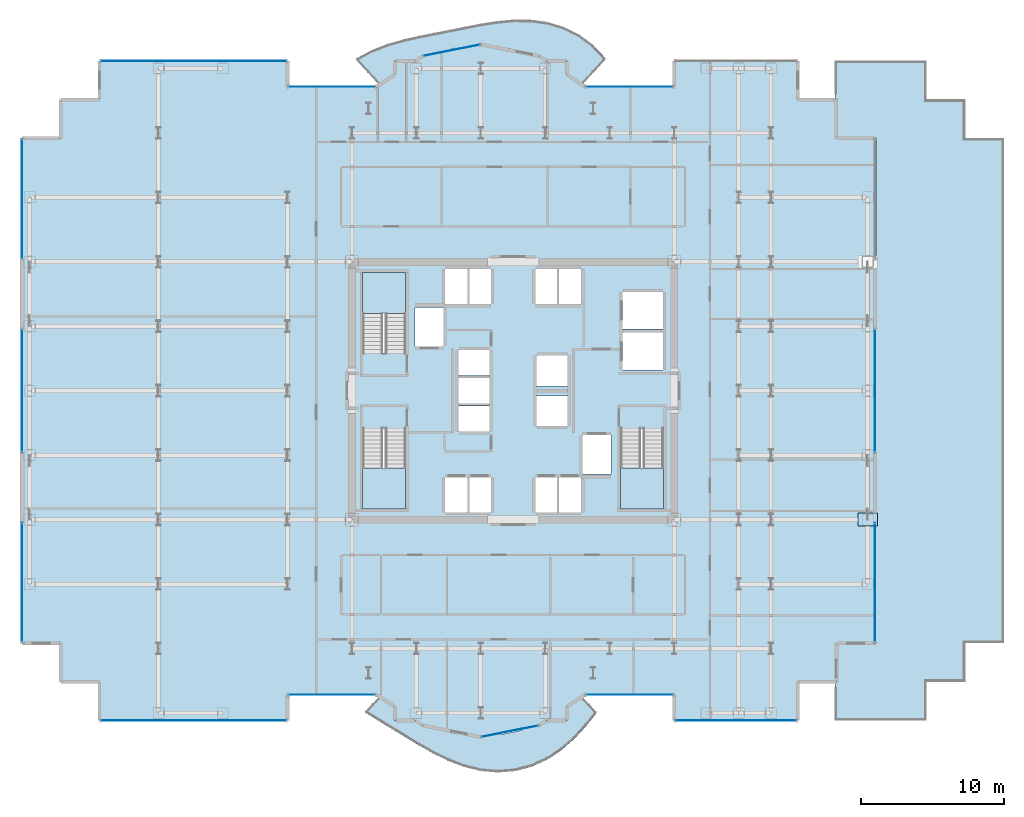
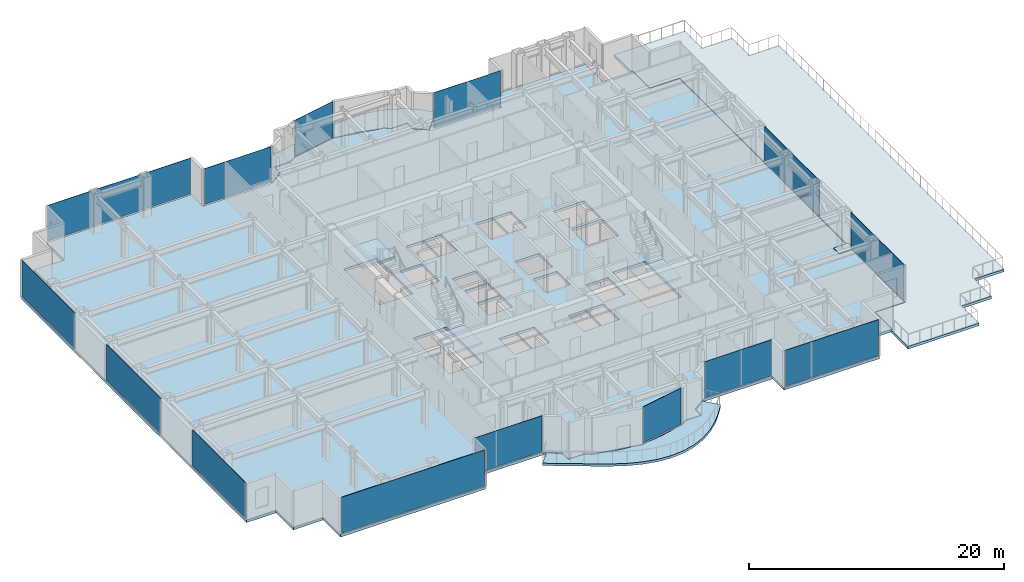
# One storey, part 17 of 27: 15 plates, 7 slabs, 17 elements without a shape of their own.
"""IFC4 building model written with IfcOpenShell, lengths in metres."""

from ifc_helpers import new_model, si_unit, direction, frame, origin, origin_2d, place, context, subcontext, project, spatial, polyline, rectangle, outline, extrude, source, transform, mapped, material, layer, layer_set, type_object, element, aggregate, save


model = new_model("IFC4")

# Units and contexts
model_context = context("Model", 3, precision=1e-05, world=origin(), true_north=direction((0.0, 1.0)))
body_context = subcontext(model_context, "Body", "Model", "MODEL_VIEW")
ifc_project = project(units=[si_unit("LENGTHUNIT", "METRE"), si_unit("AREAUNIT", "SQUARE_METRE"), si_unit("VOLUMEUNIT", "CUBIC_METRE"), si_unit("PLANEANGLEUNIT", "RADIAN"), si_unit("MASSUNIT", "GRAM", prefix="KILO")], contexts=[model_context])

# Site, building, storey
site_placement = place(None, origin())
site = spatial("IfcSite", under=ifc_project, at=site_placement, CompositionType="ELEMENT")
building_placement = place(site_placement, origin())
building = spatial("IfcBuilding", under=site, at=building_placement, Name="Nefas-Gora Pilgrimage Tower", CompositionType="ELEMENT")
storey_placement = place(building_placement, frame((0.0, 0.0, 148.800048828125)))
storey = spatial("IfcBuildingStorey", under=building, at=storey_placement, Name="L36", CompositionType="ELEMENT", Elevation=148.800048828125)

# Slabs
ifc_material_1 = material(Name="Concrete C40/50", Category="concrete")
ifc_layer_1 = layer(ifc_material_1, 0.22509765625)
ifc_layer_set_1 = layer_set([ifc_layer_1], Name="Concrete C40/50")
slab_type_1 = type_object("IfcSlabType", Name="SLB-BAL-P1", PredefinedType="FLOOR", material=ifc_layer_set_1)
slab_1_placement = place(storey_placement, frame((0.0, 0.0, -0.22509765625)))
element("IfcSlab", 1, at=slab_1_placement, inside=storey, type_object=slab_type_1, Name="L36 Sinusoidal Lobe Balcony Slab N (Phase 1)", PredefinedType="FLOOR", context=body_context, shape_type="SweptSolid", body=[
    extrude(outline(polyline([(-9.28759765625, 21.385986328125), (-9.224609375, 21.427978515625), (-8.538330078125, 21.9912109375), (-8.260009765625, 22.179931640625), (-8.260009765625, 23.02001953125), (-8.260009765625, 23.02099609375), (-8.259765625, 23.02197265625), (-8.259521484375, 23.02294921875), (-8.25927734375, 23.023681640625), (-8.2587890625, 23.024658203125), (-8.25830078125, 23.025634765625), (-8.2578125, 23.0263671875), (-8.257080078125, 23.027099609375), (-8.25634765625, 23.027587890625), (-8.255615234375, 23.0283203125), (-8.254638671875, 23.02880859375), (-8.25390625, 23.029296875), (-8.2529296875, 23.029541015625), (-8.251953125, 23.02978515625), (-8.2509765625, 23.030029296875), (-8.25, 23.030029296875), (-6.8271484375, 23.030029296875), (-6.31298828125, 23.37353515625), (-6.31201171875, 23.3740234375), (-6.311279296875, 23.37451171875), (-6.310302734375, 23.375), (-6.309326171875, 23.375), (-5.63037109375, 23.51025390625), (-5.102783203125, 23.685302734375), (-4.165283203125, 23.904052734375), (-3.211669921875, 24.035888671875), (-2.919921875, 24.04931640625), (-2.251953125, 24.18212890625), (-2.2509765625, 24.182373046875), (-2.25, 24.182373046875), (-2.2490234375, 24.182373046875), (-2.248046875, 24.18212890625), (-1.580078125, 24.04931640625), (-1.288330078125, 24.035888671875), (-0.334716796875, 23.904052734375), (0.602783203125, 23.685302734375), (1.13037109375, 23.51025390625), (1.809326171875, 23.375), (1.810302734375, 23.375), (1.811279296875, 23.37451171875), (1.81201171875, 23.3740234375), (1.81298828125, 23.37353515625), (2.3271484375, 23.030029296875), (3.75, 23.030029296875), (3.7509765625, 23.030029296875), (3.751953125, 23.02978515625), (3.7529296875, 23.029541015625), (3.75390625, 23.029296875), (3.754638671875, 23.02880859375), (3.755615234375, 23.0283203125), (3.75634765625, 23.027587890625), (3.757080078125, 23.027099609375), (3.7578125, 23.0263671875), (3.75830078125, 23.025634765625), (3.7587890625, 23.024658203125), (3.75927734375, 23.023681640625), (3.759521484375, 23.02294921875), (3.759765625, 23.02197265625), (3.760009765625, 23.02099609375), (3.760009765625, 23.02001953125), (3.760009765625, 22.179931640625), (4.038330078125, 21.9912109375), (4.724609375, 21.427978515625), (4.78759765625, 21.385986328125), (6.4453125, 23.22705078125), (5.615234375, 24.102783203125), (4.64697265625, 24.82470703125), (3.56640625, 25.364501953125), (2.41064453125, 25.711181640625), (1.22021484375, 25.87451171875), (0.031982421875, 25.882080078125), (-1.128662109375, 25.7744140625), (-2.25, 25.595947265625), (-3.335693359375, 25.38671875), (-4.400634765625, 25.17333984375), (-5.463623046875, 24.964599609375), (-6.54150390625, 24.749755859375), (-7.64111328125, 24.502197265625), (-8.754638671875, 24.184814453125), (-9.85888671875, 23.759521484375), (-10.916748046875, 23.1953125), (-9.28759765625, 21.385986328125)])), origin(), (0.0, 0.0, 1.0), 0.22509765625),
])
ifc_layer_2 = layer(ifc_material_1, 0.22998046875)
ifc_layer_set_2 = layer_set([ifc_layer_2], Name="Concrete C40/50")
slab_type_2 = type_object("IfcSlabType", Name="SLB-BAL-P5", PredefinedType="FLOOR", material=ifc_layer_set_2)
slab_2_placement = place(storey_placement, frame((0.0, 0.0, -0.22998046875)))
element("IfcSlab", 2, at=slab_2_placement, inside=storey, type_object=slab_type_2, Name="L36 Sinusoidal Lobe Balcony Slab S (Phase 5)", PredefinedType="FLOOR", context=body_context, shape_type="SweptSolid", body=[
    extrude(outline(polyline([(4.78759765625, -21.385986328125), (4.724609375, -21.427978515625), (4.038330078125, -21.9912109375), (3.760009765625, -22.179931640625), (3.760009765625, -23.02001953125), (3.760009765625, -23.02099609375), (3.759765625, -23.02197265625), (3.759521484375, -23.02294921875), (3.75927734375, -23.023681640625), (3.7587890625, -23.024658203125), (3.75830078125, -23.025634765625), (3.7578125, -23.0263671875), (3.757080078125, -23.027099609375), (3.75634765625, -23.027587890625), (3.755615234375, -23.0283203125), (3.754638671875, -23.02880859375), (3.75390625, -23.029296875), (3.7529296875, -23.029541015625), (3.751953125, -23.02978515625), (3.7509765625, -23.030029296875), (3.75, -23.030029296875), (2.3271484375, -23.030029296875), (1.81298828125, -23.37353515625), (1.81201171875, -23.3740234375), (1.811279296875, -23.37451171875), (1.810302734375, -23.375), (1.809326171875, -23.375), (1.13037109375, -23.51025390625), (0.602783203125, -23.685302734375), (-0.334716796875, -23.904052734375), (-1.288330078125, -24.035888671875), (-1.580078125, -24.04931640625), (-2.248046875, -24.18212890625), (-2.2490234375, -24.182373046875), (-2.25, -24.182373046875), (-2.2509765625, -24.182373046875), (-2.251953125, -24.18212890625), (-2.919921875, -24.04931640625), (-3.211669921875, -24.035888671875), (-4.165283203125, -23.904052734375), (-5.102783203125, -23.685302734375), (-5.63037109375, -23.51025390625), (-6.309326171875, -23.375), (-6.310302734375, -23.375), (-6.311279296875, -23.37451171875), (-6.31201171875, -23.3740234375), (-6.31298828125, -23.37353515625), (-6.8271484375, -23.030029296875), (-8.25, -23.030029296875), (-8.2509765625, -23.030029296875), (-8.251953125, -23.02978515625), (-8.2529296875, -23.029541015625), (-8.25390625, -23.029296875), (-8.254638671875, -23.02880859375), (-8.255615234375, -23.0283203125), (-8.25634765625, -23.027587890625), (-8.257080078125, -23.027099609375), (-8.2578125, -23.0263671875), (-8.25830078125, -23.025634765625), (-8.2587890625, -23.024658203125), (-8.25927734375, -23.023681640625), (-8.259521484375, -23.02294921875), (-8.259765625, -23.02197265625), (-8.260009765625, -23.02099609375), (-8.260009765625, -23.02001953125), (-8.260009765625, -22.179931640625), (-8.538330078125, -21.9912109375), (-9.224609375, -21.427978515625), (-9.28759765625, -21.385986328125), (-10.282958984375, -22.491455078125), (-9.343017578125, -23.068603515625), (-8.41552734375, -23.631103515625), (-7.49072265625, -24.197265625), (-6.548583984375, -24.768310546875), (-5.56591796875, -25.326904296875), (-4.52392578125, -25.83935546875), (-3.416015625, -26.2607421875), (-2.25, -26.5439453125), (-1.04833984375, -26.6484375), (0.1552734375, -26.548095703125), (1.322509765625, -26.23681640625), (2.417724609375, -25.729736328125), (3.416015625, -25.059814453125), (4.307861328125, -24.271240234375), (5.099365234375, -23.412109375), (5.8115234375, -22.523193359375), (4.78759765625, -21.385986328125)])), origin(), (0.0, 0.0, 1.0), 0.22998046875),
])
ifc_material_2 = material(Name="Concrete C45/55", Category="concrete")
ifc_layer_3 = layer(ifc_material_2, 0.25)
ifc_layer_set_3 = layer_set([ifc_layer_3], Name="Concrete C45/55")
slab_type_3 = type_object("IfcSlabType", Name="SLB-TER-L36-1", PredefinedType="ROOF", material=ifc_layer_set_3)
slab_3_placement = place(storey_placement, frame((0.0, 0.0, -0.25)))
element("IfcSlab", 3, at=slab_3_placement, inside=storey, type_object=slab_type_3, Name="L36 Outdoor Sky Terrace Slab TER-L36-1", PredefinedType="ROOF", context=body_context, shape_type="SweptSolid", body=[
    extrude(outline(polyline([(28.8701171875, 23.02001953125), (22.469970703125, 23.02001953125), (22.469970703125, 20.3701171875), (22.570068359375, 20.3701171875), (22.574951171875, 20.369873046875), (22.579833984375, 20.368896484375), (22.58447265625, 20.367919921875), (22.589111328125, 20.3662109375), (22.593505859375, 20.364013671875), (22.597900390625, 20.361572265625), (22.601806640625, 20.358642578125), (22.60546875, 20.35546875), (22.608642578125, 20.351806640625), (22.611572265625, 20.347900390625), (22.614013671875, 20.343505859375), (22.6162109375, 20.339111328125), (22.617919921875, 20.33447265625), (22.618896484375, 20.329833984375), (22.619873046875, 20.324951171875), (22.6201171875, 20.320068359375), (22.6201171875, 17.669921875), (25.27001953125, 17.669921875), (25.27490234375, 17.669921875), (25.27978515625, 17.6689453125), (25.284423828125, 17.667724609375), (25.2890625, 17.666259765625), (25.293701171875, 17.6640625), (25.2978515625, 17.66162109375), (25.3017578125, 17.65869140625), (25.305419921875, 17.655517578125), (25.30859375, 17.651611328125), (25.3115234375, 17.647705078125), (25.314208984375, 17.6435546875), (25.316162109375, 17.63916015625), (25.31787109375, 17.634521484375), (25.319091796875, 17.6298828125), (25.31982421875, 17.625), (25.320068359375, 17.6201171875), (25.320068359375, -17.6201171875), (25.31982421875, -17.625), (25.319091796875, -17.6298828125), (25.31787109375, -17.634521484375), (25.316162109375, -17.63916015625), (25.314208984375, -17.6435546875), (25.3115234375, -17.647705078125), (25.30859375, -17.651611328125), (25.305419921875, -17.655517578125), (25.3017578125, -17.65869140625), (25.2978515625, -17.66162109375), (25.293701171875, -17.6640625), (25.2890625, -17.666259765625), (25.284423828125, -17.667724609375), (25.27978515625, -17.6689453125), (25.27490234375, -17.669921875), (25.27001953125, -17.669921875), (22.6201171875, -17.669921875), (22.6201171875, -20.320068359375), (22.619873046875, -20.324951171875), (22.618896484375, -20.329833984375), (22.617919921875, -20.33447265625), (22.6162109375, -20.339111328125), (22.614013671875, -20.343505859375), (22.611572265625, -20.347900390625), (22.608642578125, -20.351806640625), (22.60546875, -20.35546875), (22.601806640625, -20.358642578125), (22.597900390625, -20.361572265625), (22.593505859375, -20.364013671875), (22.589111328125, -20.3662109375), (22.58447265625, -20.367919921875), (22.579833984375, -20.368896484375), (22.574951171875, -20.369873046875), (22.570068359375, -20.3701171875), (22.469970703125, -20.3701171875), (22.469970703125, -23.02001953125), (28.8701171875, -23.02001953125), (28.8701171875, -20.320068359375), (31.570068359375, -20.320068359375), (31.570068359375, -17.6201171875), (34.27001953125, -17.6201171875), (34.27001953125, 17.6201171875), (31.570068359375, 17.6201171875), (31.570068359375, 20.320068359375), (28.8701171875, 20.320068359375), (28.8701171875, 23.02001953125)])), origin(), (0.0, 0.0, 1.0), 0.25),
])
ifc_layer_4 = layer(ifc_material_1, 0.25)
ifc_layer_set_4 = layer_set([ifc_layer_4], Name="Concrete C40/50")
slab_type_4 = type_object("IfcSlabType", Name="SLB-TWR-250", PredefinedType="FLOOR", material=ifc_layer_set_4)
slab_4_placement = place(storey_placement, frame((0.0, 0.0, -0.25)))
element("IfcSlab", 4, at=slab_4_placement, inside=storey, type_object=slab_type_4, Name="L36 Structural Floor Slab", PredefinedType="FLOOR", context=body_context, shape_type="SweptSolid", body=[
    extrude(outline(polyline([(5.01806640625, -21.219970703125), (11.25, -21.219970703125), (11.25, -23.02001953125), (19.8701171875, -23.02001953125), (19.8701171875, -20.320068359375), (22.570068359375, -20.320068359375), (22.570068359375, -17.6201171875), (25.27001953125, -17.6201171875), (25.27001953125, 17.6201171875), (22.570068359375, 17.6201171875), (22.570068359375, 20.320068359375), (19.8701171875, 20.320068359375), (19.8701171875, 23.02001953125), (11.25, 23.02001953125), (11.25, 21.219970703125), (5.01806640625, 21.219970703125), (3.75, 22.0673828125), (3.75, 23.02001953125), (2.32421875, 23.02001953125), (1.807373046875, 23.365234375), (-2.25, 24.17236328125), (-6.307373046875, 23.365234375), (-6.82421875, 23.02001953125), (-8.25, 23.02001953125), (-8.25, 22.0673828125), (-9.51806640625, 21.219970703125), (-15.75, 21.219970703125), (-15.75, 23.02001953125), (-28.8701171875, 23.02001953125), (-28.8701171875, 20.320068359375), (-31.570068359375, 20.320068359375), (-31.570068359375, 17.6201171875), (-34.27001953125, 17.6201171875), (-34.27001953125, -17.6201171875), (-31.570068359375, -17.6201171875), (-31.570068359375, -20.320068359375), (-28.8701171875, -20.320068359375), (-28.8701171875, -23.02001953125), (-15.75, -23.02001953125), (-15.75, -21.219970703125), (-9.51806640625, -21.219970703125), (-8.25, -22.0673828125), (-8.25, -23.02001953125), (-6.82421875, -23.02001953125), (-6.307373046875, -23.365234375), (-2.25, -24.17236328125), (1.807373046875, -23.365234375), (2.32421875, -23.02001953125), (3.75, -23.02001953125), (3.75, -22.0673828125), (5.01806640625, -21.219970703125)]), holes=[polyline([(-10.5, 2.639892578125), (-10.5, 8.25), (-7.5, 8.25), (-7.5, 2.639892578125), (-10.5, 2.639892578125)]), polyline([(10.5, -2.639892578125), (10.5, -8.25), (7.5, -8.25), (7.5, -2.639892578125), (10.5, -2.639892578125)]), polyline([(-7.5, -2.639892578125), (-7.5, -8.25), (-10.5, -8.25), (-10.5, -2.639892578125), (-7.5, -2.639892578125)]), polyline([(-6.85009765625, 5.800048828125), (-4.85009765625, 5.800048828125), (-4.85009765625, 3.10009765625), (-6.85009765625, 3.10009765625), (-6.85009765625, 5.800048828125)]), polyline([(4.85009765625, -3.10009765625), (6.85009765625, -3.10009765625), (6.85009765625, -5.800048828125), (4.85009765625, -5.800048828125), (4.85009765625, -3.10009765625)]), polyline([(7.64990234375, 4.050048828125), (10.449951171875, 4.050048828125), (10.449951171875, 1.449951171875), (7.64990234375, 1.449951171875), (7.64990234375, 4.050048828125)]), polyline([(7.64990234375, 6.89990234375), (10.449951171875, 6.89990234375), (10.449951171875, 4.300048828125), (7.64990234375, 4.300048828125), (7.64990234375, 6.89990234375)]), polyline([(-4.75, 8.5), (-3.14990234375, 8.5), (-3.14990234375, 6.050048828125), (-4.75, 6.050048828125), (-4.75, 8.5)]), polyline([(-3.10009765625, 8.5), (-1.550048828125, 8.5), (-1.550048828125, 6.050048828125), (-3.10009765625, 6.050048828125), (-3.10009765625, 8.5)]), polyline([(1.550048828125, 8.5), (3.10009765625, 8.5), (3.10009765625, 6.050048828125), (1.550048828125, 6.050048828125), (1.550048828125, 8.5)]), polyline([(3.14990234375, 8.5), (4.75, 8.5), (4.75, 6.050048828125), (3.14990234375, 6.050048828125), (3.14990234375, 8.5)]), polyline([(-4.75, -6.050048828125), (-3.14990234375, -6.050048828125), (-3.14990234375, -8.5), (-4.75, -8.5), (-4.75, -6.050048828125)]), polyline([(-3.10009765625, -6.050048828125), (-1.550048828125, -6.050048828125), (-1.550048828125, -8.5), (-3.10009765625, -8.5), (-3.10009765625, -6.050048828125)]), polyline([(1.550048828125, -6.050048828125), (3.10009765625, -6.050048828125), (3.10009765625, -8.5), (1.550048828125, -8.5), (1.550048828125, -6.050048828125)]), polyline([(3.14990234375, -6.050048828125), (4.75, -6.050048828125), (4.75, -8.5), (3.14990234375, -8.5), (3.14990234375, -6.050048828125)]), polyline([(-3.800048828125, -1.050048828125), (-1.64990234375, -1.050048828125), (-1.64990234375, -2.85009765625), (-3.800048828125, -2.85009765625), (-3.800048828125, -1.050048828125)]), polyline([(-3.800048828125, 0.89990234375), (-1.64990234375, 0.89990234375), (-1.64990234375, -0.89990234375), (-3.800048828125, -0.89990234375), (-3.800048828125, 0.89990234375)]), polyline([(-3.800048828125, 2.85009765625), (-1.64990234375, 2.85009765625), (-1.64990234375, 1.050048828125), (-3.800048828125, 1.050048828125), (-3.800048828125, 2.85009765625)]), polyline([(1.64990234375, -0.35009765625), (3.800048828125, -0.35009765625), (3.800048828125, -2.449951171875), (1.64990234375, -2.449951171875), (1.64990234375, -0.35009765625)]), polyline([(1.64990234375, 2.449951171875), (3.800048828125, 2.449951171875), (3.800048828125, 0.35009765625), (1.64990234375, 0.35009765625), (1.64990234375, 2.449951171875)])]), origin(), (0.0, 0.0, 1.0), 0.25),
])

# Stair, slab
stair_type = type_object("IfcStairType", Name="STR-1400-R1727", PredefinedType="HALF_TURN_STAIR", material=ifc_material_2)
stair_1_placement = place(storey_placement, origin())
stair_1 = element("IfcStair", 5, at=stair_1_placement, inside=storey, type_object=stair_type, Name="L36 Pressurised Tower Exit Stair ST-01", PredefinedType="HALF_TURN_STAIR")
ifc_layer_5 = layer(ifc_material_1, 0.199951171875)
ifc_layer_set_5 = layer_set([ifc_layer_5], Name="Concrete C40/50")
slab_type_5 = type_object("IfcSlabType", Name="STR-LAND-200", PredefinedType="LANDING", material=ifc_layer_set_5)
slab_5_placement = place(storey_placement, frame((0.0, 0.0, 1.699951171875)))
slab_5 = element("IfcSlab", 6, at=slab_5_placement, type_object=slab_type_5, Name="ST-01 landing 1", PredefinedType="LANDING", context=body_context, shape_type="SweptSolid", body=[
    extrude(outline(polyline([(-7.5, 5.39990234375), (-7.5, 8.25), (-10.5, 8.25), (-10.5, 5.39990234375), (-7.5, 5.39990234375)])), origin(), (0.0, 0.0, 1.0), 0.199951171875),
])
aggregate(stair_1, [slab_5])

stair_2_placement = place(storey_placement, origin())
stair_2 = element("IfcStair", 7, at=stair_2_placement, inside=storey, type_object=stair_type, Name="L36 Pressurised Tower Exit Stair ST-02", PredefinedType="HALF_TURN_STAIR")
slab_6_placement = place(storey_placement, frame((0.0, 0.0, 1.699951171875)))
slab_6 = element("IfcSlab", 8, at=slab_6_placement, type_object=slab_type_5, Name="ST-02 landing 1", PredefinedType="LANDING", context=body_context, shape_type="SweptSolid", body=[
    extrude(outline(polyline([(7.5, -5.39990234375), (7.5, -8.25), (10.5, -8.25), (10.5, -5.39990234375), (7.5, -5.39990234375)])), origin(), (0.0, 0.0, 1.0), 0.199951171875),
])
aggregate(stair_2, [slab_6])

stair_3_placement = place(storey_placement, origin())
stair_3 = element("IfcStair", 9, at=stair_3_placement, inside=storey, type_object=stair_type, Name="L36 Pressurised Tower Exit Stair ST-03", PredefinedType="HALF_TURN_STAIR")
slab_7_placement = place(storey_placement, frame((0.0, 0.0, 1.699951171875)))
slab_7 = element("IfcSlab", 10, at=slab_7_placement, type_object=slab_type_5, Name="ST-03 landing 1", PredefinedType="LANDING", context=body_context, shape_type="SweptSolid", body=[
    extrude(outline(polyline([(-10.5, -5.39990234375), (-10.5, -8.25), (-7.5, -8.25), (-7.5, -5.39990234375), (-10.5, -5.39990234375)])), origin(), (0.0, 0.0, 1.0), 0.199951171875),
])
aggregate(stair_3, [slab_7])

# Plate
ifc_material_3 = material(Name="Steel S460", Category="steel")
ifc_layer_6 = layer(ifc_material_3, 0.048095703125)
ifc_layer_set_6 = layer_set([ifc_layer_6], Name="Steel S460")
plate_type_1 = type_object("IfcPlateType", Name="PLT-NODE-N07", PredefinedType="USERDEFINED", material=ifc_layer_set_6)
shared_shape_1 = source(origin(), body_context, "Body", "SweptSolid", [
    extrude(rectangle(XDim=1.35009765625, YDim=0.89990234375, at=origin_2d()), origin(), (0.0, 0.0, 1.0), 0.048095703125),
])
plate_1_placement = place(storey_placement, frame((24.75, -9.0, 0.0556640625), z_axis=(0.0, 0.0, 1.0), x_axis=(1.0, 0.0, 0.0)))
element("IfcPlate", 11, at=plate_1_placement, inside=storey, type_object=plate_type_1, Name="Structural Node Gusset Plate N07 (L36)", ObjectType="GUSSET_PLATE", PredefinedType="USERDEFINED", context=body_context, shape_type="MappedRepresentation", body=[
    mapped(shared_shape_1, transform((0.0, 0.0, 0.0), x_axis=(1.0, 0.0, 0.0), y_axis=(0.0, 1.0, 0.0), z_axis=(0.0, 0.0, 1.0), scale=1.0)),
])

# Curtain wall, plate
ifc_material_4 = material(Name="Dark ceramic-fritted solar-control aluminium-glass curtain wall", Category="aluminium")
ifc_layer_7 = layer(ifc_material_4, 0.219970703125)
ifc_layer_set_7 = layer_set([ifc_layer_7], Name="Dark ceramic-fritted solar-control aluminium-glass curtain wall")
curtain_wall_type_1 = type_object("IfcCurtainWallType", Name="CW-SYS-5", PredefinedType="NOTDEFINED", material=ifc_layer_set_7)
curtain_wall_1_placement = place(storey_placement, origin())
curtain_wall_1 = element("IfcCurtainWall", 12, at=curtain_wall_1_placement, inside=storey, type_object=curtain_wall_type_1, Name="L36 Unitised Curtain Wall CW5", PredefinedType="NOTDEFINED")
ifc_material_5 = material(Name="Dark ceramic-printed low-e insulated glass", Category="glass")
ifc_layer_8 = layer(ifc_material_5, 0.028076171875)
ifc_layer_set_8 = layer_set([ifc_layer_8], Name="Dark ceramic-printed low-e insulated glass")
plate_type_2 = type_object("IfcPlateType", Name="CWP-PNL-5", PredefinedType="CURTAIN_PANEL", material=ifc_layer_set_8)
shared_shape_2 = source(origin(), body_context, "Body", "SweptSolid", [
    extrude(rectangle(XDim=6.052001953125, YDim=0.028076171875, at=origin_2d()), origin(), (0.0, 0.0, 1.0), 3.43994140625),
])
plate_2_placement = place(storey_placement, frame((8.134033203125, -21.219970703125, 0.10009765625), z_axis=(0.0, 0.0, 1.0), x_axis=(1.0, 0.0, 0.0)))
plate_2 = element("IfcPlate", 13, at=plate_2_placement, type_object=plate_type_2, Name="CW5 Ceramic-Fritted Glazing Panel 1", PredefinedType="CURTAIN_PANEL", context=body_context, shape_type="MappedRepresentation", body=[
    mapped(shared_shape_2, transform((0.0, 0.0, 0.0), x_axis=(1.0, 0.0, 0.0), y_axis=(0.0, 1.0, 0.0), z_axis=(0.0, 0.0, 1.0), scale=1.0)),
])
aggregate(curtain_wall_1, [plate_2])

curtain_wall_2_placement = place(storey_placement, origin())
curtain_wall_2 = element("IfcCurtainWall", 14, at=curtain_wall_2_placement, inside=storey, type_object=curtain_wall_type_1, Name="L36 Unitised Curtain Wall CW5", PredefinedType="NOTDEFINED")
plate_3_placement = place(storey_placement, frame((8.134033203125, 21.219970703125, 0.10009765625), z_axis=(0.0, 0.0, 1.0), x_axis=(-1.0, 0.0, 0.0)))
plate_3 = element("IfcPlate", 15, at=plate_3_placement, type_object=plate_type_2, Name="CW5 Ceramic-Fritted Glazing Panel 1", PredefinedType="CURTAIN_PANEL", context=body_context, shape_type="MappedRepresentation", body=[
    mapped(shared_shape_2, transform((0.0, 0.0, 0.0), x_axis=(1.0, 0.0, 0.0), y_axis=(0.0, 1.0, 0.0), z_axis=(0.0, 0.0, 1.0), scale=1.0)),
])
aggregate(curtain_wall_2, [plate_3])

curtain_wall_3_placement = place(storey_placement, origin())
curtain_wall_3 = element("IfcCurtainWall", 16, at=curtain_wall_3_placement, inside=storey, type_object=curtain_wall_type_1, Name="L36 Unitised Curtain Wall CW5", PredefinedType="NOTDEFINED")
plate_4_placement = place(storey_placement, frame((-12.634033203125, 21.219970703125, 0.10009765625), z_axis=(0.0, 0.0, 1.0), x_axis=(-1.0, 0.0, 0.0)))
plate_4 = element("IfcPlate", 17, at=plate_4_placement, type_object=plate_type_2, Name="CW5 Ceramic-Fritted Glazing Panel 1", PredefinedType="CURTAIN_PANEL", context=body_context, shape_type="MappedRepresentation", body=[
    mapped(shared_shape_2, transform((0.0, 0.0, 0.0), x_axis=(1.0, 0.0, 0.0), y_axis=(0.0, 1.0, 0.0), z_axis=(0.0, 0.0, 1.0), scale=1.0)),
])
aggregate(curtain_wall_3, [plate_4])

curtain_wall_4_placement = place(storey_placement, origin())
curtain_wall_4 = element("IfcCurtainWall", 18, at=curtain_wall_4_placement, inside=storey, type_object=curtain_wall_type_1, Name="L36 Unitised Curtain Wall CW5", PredefinedType="NOTDEFINED")
plate_5_placement = place(storey_placement, frame((-12.634033203125, -21.219970703125, 0.10009765625), z_axis=(0.0, 0.0, 1.0), x_axis=(1.0, 0.0, 0.0)))
plate_5 = element("IfcPlate", 19, at=plate_5_placement, type_object=plate_type_2, Name="CW5 Ceramic-Fritted Glazing Panel 1", PredefinedType="CURTAIN_PANEL", context=body_context, shape_type="MappedRepresentation", body=[
    mapped(shared_shape_2, transform((0.0, 0.0, 0.0), x_axis=(1.0, 0.0, 0.0), y_axis=(0.0, 1.0, 0.0), z_axis=(0.0, 0.0, 1.0), scale=1.0)),
])
aggregate(curtain_wall_4, [plate_5])

curtain_wall_5_placement = place(storey_placement, origin())
curtain_wall_5 = element("IfcCurtainWall", 20, at=curtain_wall_5_placement, inside=storey, type_object=curtain_wall_type_1, Name="L36 Unitised Curtain Wall CW5", PredefinedType="NOTDEFINED")
shared_shape_3 = source(origin(), body_context, "Body", "SweptSolid", [
    extrude(rectangle(XDim=3.956787109375, YDim=0.028076171875, at=origin_2d()), origin(), (0.0, 0.0, 1.0), 3.43994140625),
])
plate_6_placement = place(storey_placement, frame((-4.278564453125, 23.768798828125, 0.10009765625), z_axis=(0.0, 0.0, 1.0), x_axis=(-0.980782896852, -0.195102304554, 0.0)))
plate_6 = element("IfcPlate", 21, at=plate_6_placement, type_object=plate_type_2, Name="CW5 Ceramic-Fritted Glazing Panel 1", PredefinedType="CURTAIN_PANEL", context=body_context, shape_type="MappedRepresentation", body=[
    mapped(shared_shape_3, transform((0.0, 0.0, 0.0), x_axis=(1.0, 0.0, 0.0), y_axis=(0.0, 1.0, 0.0), z_axis=(0.0, 0.0, 1.0), scale=1.0)),
])
aggregate(curtain_wall_5, [plate_6])

curtain_wall_6_placement = place(storey_placement, origin())
curtain_wall_6 = element("IfcCurtainWall", 22, at=curtain_wall_6_placement, inside=storey, type_object=curtain_wall_type_1, Name="L36 Unitised Curtain Wall CW5", PredefinedType="NOTDEFINED")
plate_7_placement = place(storey_placement, frame((-0.221435546875, -23.768798828125, 0.10009765625), z_axis=(0.0, 0.0, 1.0), x_axis=(0.980782896852, 0.195102304554, 0.0)))
plate_7 = element("IfcPlate", 23, at=plate_7_placement, type_object=plate_type_2, Name="CW5 Ceramic-Fritted Glazing Panel 1", PredefinedType="CURTAIN_PANEL", context=body_context, shape_type="MappedRepresentation", body=[
    mapped(shared_shape_3, transform((0.0, 0.0, 0.0), x_axis=(1.0, 0.0, 0.0), y_axis=(0.0, 1.0, 0.0), z_axis=(0.0, 0.0, 1.0), scale=1.0)),
])
aggregate(curtain_wall_6, [plate_7])

ifc_layer_9 = layer(ifc_material_4, 0.219970703125)
ifc_layer_set_9 = layer_set([ifc_layer_9], Name="Dark ceramic-fritted solar-control aluminium-glass curtain wall")
curtain_wall_type_2 = type_object("IfcCurtainWallType", Name="CW-SYS-3", PredefinedType="NOTDEFINED", material=ifc_layer_set_9)
curtain_wall_7_placement = place(storey_placement, origin())
curtain_wall_7 = element("IfcCurtainWall", 24, at=curtain_wall_7_placement, inside=storey, type_object=curtain_wall_type_2, Name="L36 Unitised Curtain Wall CW3", PredefinedType="NOTDEFINED")
ifc_layer_10 = layer(ifc_material_5, 0.033935546875)
ifc_layer_set_10 = layer_set([ifc_layer_10], Name="Dark ceramic-printed low-e insulated glass")
plate_type_3 = type_object("IfcPlateType", Name="CWP-PNL-3", PredefinedType="CURTAIN_PANEL", material=ifc_layer_set_10)
shared_shape_4 = source(origin(), body_context, "Body", "SweptSolid", [
    extrude(rectangle(XDim=8.43994140625, YDim=0.033935546875, at=origin_2d()), origin(), (0.0, 0.0, 1.0), 3.43994140625),
])
plate_8_placement = place(storey_placement, frame((15.56005859375, -23.02001953125, 0.10009765625), z_axis=(0.0, 0.0, 1.0), x_axis=(1.0, 0.0, 0.0)))
plate_8 = element("IfcPlate", 25, at=plate_8_placement, type_object=plate_type_3, Name="CW3 Ceramic-Fritted Glazing Panel 1", PredefinedType="CURTAIN_PANEL", context=body_context, shape_type="MappedRepresentation", body=[
    mapped(shared_shape_4, transform((0.0, 0.0, 0.0), x_axis=(1.0, 0.0, 0.0), y_axis=(0.0, 1.0, 0.0), z_axis=(0.0, 0.0, 1.0), scale=1.0)),
])
aggregate(curtain_wall_7, [plate_8])

curtain_wall_8_placement = place(storey_placement, origin())
curtain_wall_8 = element("IfcCurtainWall", 26, at=curtain_wall_8_placement, inside=storey, type_object=curtain_wall_type_2, Name="L36 Unitised Curtain Wall CW3", PredefinedType="NOTDEFINED")
shared_shape_5 = source(origin(), body_context, "Body", "SweptSolid", [
    extrude(rectangle(XDim=8.2900390625, YDim=0.033935546875, at=origin_2d()), origin(), (0.0, 0.0, 1.0), 3.43994140625),
])
plate_9_placement = place(storey_placement, frame((25.27001953125, -13.385009765625, 0.10009765625), z_axis=(0.0, 0.0, 1.0), x_axis=(0.0, 1.0, 0.0)))
plate_9 = element("IfcPlate", 27, at=plate_9_placement, type_object=plate_type_3, Name="CW3 Ceramic-Fritted Glazing Panel 1", PredefinedType="CURTAIN_PANEL", context=body_context, shape_type="MappedRepresentation", body=[
    mapped(shared_shape_5, transform((0.0, 0.0, 0.0), x_axis=(1.0, 0.0, 0.0), y_axis=(0.0, 1.0, 0.0), z_axis=(0.0, 0.0, 1.0), scale=1.0)),
])
aggregate(curtain_wall_8, [plate_9])

curtain_wall_9_placement = place(storey_placement, origin())
curtain_wall_9 = element("IfcCurtainWall", 28, at=curtain_wall_9_placement, inside=storey, type_object=curtain_wall_type_2, Name="L36 Unitised Curtain Wall CW3", PredefinedType="NOTDEFINED")
plate_10_placement = place(storey_placement, frame((-34.27001953125, 13.385009765625, 0.10009765625), z_axis=(0.0, 0.0, 1.0), x_axis=(0.0, -1.0, 0.0)))
plate_10 = element("IfcPlate", 29, at=plate_10_placement, type_object=plate_type_3, Name="CW3 Ceramic-Fritted Glazing Panel 1", PredefinedType="CURTAIN_PANEL", context=body_context, shape_type="MappedRepresentation", body=[
    mapped(shared_shape_5, transform((0.0, 0.0, 0.0), x_axis=(1.0, 0.0, 0.0), y_axis=(0.0, 1.0, 0.0), z_axis=(0.0, 0.0, 1.0), scale=1.0)),
])
aggregate(curtain_wall_9, [plate_10])

curtain_wall_10_placement = place(storey_placement, origin())
curtain_wall_10 = element("IfcCurtainWall", 30, at=curtain_wall_10_placement, inside=storey, type_object=curtain_wall_type_2, Name="L36 Unitised Curtain Wall CW3", PredefinedType="NOTDEFINED")
plate_11_placement = place(storey_placement, frame((-34.27001953125, -13.385009765625, 0.10009765625), z_axis=(0.0, 0.0, 1.0), x_axis=(0.0, -1.0, 0.0)))
plate_11 = element("IfcPlate", 31, at=plate_11_placement, type_object=plate_type_3, Name="CW3 Ceramic-Fritted Glazing Panel 1", PredefinedType="CURTAIN_PANEL", context=body_context, shape_type="MappedRepresentation", body=[
    mapped(shared_shape_5, transform((0.0, 0.0, 0.0), x_axis=(1.0, 0.0, 0.0), y_axis=(0.0, 1.0, 0.0), z_axis=(0.0, 0.0, 1.0), scale=1.0)),
])
aggregate(curtain_wall_10, [plate_11])

curtain_wall_11_placement = place(storey_placement, origin())
curtain_wall_11 = element("IfcCurtainWall", 32, at=curtain_wall_11_placement, inside=storey, type_object=curtain_wall_type_2, Name="L36 Unitised Curtain Wall CW3", PredefinedType="NOTDEFINED")
shared_shape_6 = source(origin(), body_context, "Body", "SweptSolid", [
    extrude(rectangle(XDim=8.52001953125, YDim=0.033935546875, at=origin_2d()), origin(), (0.0, 0.0, 1.0), 3.43994140625),
])
plate_12_placement = place(storey_placement, frame((25.27001953125, 0.0, 0.10009765625), z_axis=(0.0, 0.0, 1.0), x_axis=(0.0, 1.0, 0.0)))
plate_12 = element("IfcPlate", 33, at=plate_12_placement, type_object=plate_type_3, Name="CW3 Ceramic-Fritted Glazing Panel 1", PredefinedType="CURTAIN_PANEL", context=body_context, shape_type="MappedRepresentation", body=[
    mapped(shared_shape_6, transform((0.0, 0.0, 0.0), x_axis=(1.0, 0.0, 0.0), y_axis=(0.0, 1.0, 0.0), z_axis=(0.0, 0.0, 1.0), scale=1.0)),
])
aggregate(curtain_wall_11, [plate_12])

curtain_wall_12_placement = place(storey_placement, origin())
curtain_wall_12 = element("IfcCurtainWall", 34, at=curtain_wall_12_placement, inside=storey, type_object=curtain_wall_type_2, Name="L36 Unitised Curtain Wall CW3", PredefinedType="NOTDEFINED")
plate_13_placement = place(storey_placement, frame((-34.27001953125, 0.0, 0.10009765625), z_axis=(0.0, 0.0, 1.0), x_axis=(0.0, -1.0, 0.0)))
plate_13 = element("IfcPlate", 35, at=plate_13_placement, type_object=plate_type_3, Name="CW3 Ceramic-Fritted Glazing Panel 1", PredefinedType="CURTAIN_PANEL", context=body_context, shape_type="MappedRepresentation", body=[
    mapped(shared_shape_6, transform((0.0, 0.0, 0.0), x_axis=(1.0, 0.0, 0.0), y_axis=(0.0, 1.0, 0.0), z_axis=(0.0, 0.0, 1.0), scale=1.0)),
])
aggregate(curtain_wall_12, [plate_13])

curtain_wall_13_placement = place(storey_placement, origin())
curtain_wall_13 = element("IfcCurtainWall", 36, at=curtain_wall_13_placement, inside=storey, type_object=curtain_wall_type_2, Name="L36 Unitised Curtain Wall CW3", PredefinedType="NOTDEFINED")
shared_shape_7 = source(origin(), body_context, "Body", "SweptSolid", [
    extrude(rectangle(XDim=12.93994140625, YDim=0.033935546875, at=origin_2d()), origin(), (0.0, 0.0, 1.0), 3.43994140625),
])
plate_14_placement = place(storey_placement, frame((-22.31005859375, 23.02001953125, 0.10009765625), z_axis=(0.0, 0.0, 1.0), x_axis=(-1.0, 0.0, 0.0)))
plate_14 = element("IfcPlate", 37, at=plate_14_placement, type_object=plate_type_3, Name="CW3 Ceramic-Fritted Glazing Panel 1", PredefinedType="CURTAIN_PANEL", context=body_context, shape_type="MappedRepresentation", body=[
    mapped(shared_shape_7, transform((0.0, 0.0, 0.0), x_axis=(1.0, 0.0, 0.0), y_axis=(0.0, 1.0, 0.0), z_axis=(0.0, 0.0, 1.0), scale=1.0)),
])
aggregate(curtain_wall_13, [plate_14])

curtain_wall_14_placement = place(storey_placement, origin())
curtain_wall_14 = element("IfcCurtainWall", 38, at=curtain_wall_14_placement, inside=storey, type_object=curtain_wall_type_2, Name="L36 Unitised Curtain Wall CW3", PredefinedType="NOTDEFINED")
plate_15_placement = place(storey_placement, frame((-22.31005859375, -23.02001953125, 0.10009765625), z_axis=(0.0, 0.0, 1.0), x_axis=(1.0, 0.0, 0.0)))
plate_15 = element("IfcPlate", 39, at=plate_15_placement, type_object=plate_type_3, Name="CW3 Ceramic-Fritted Glazing Panel 1", PredefinedType="CURTAIN_PANEL", context=body_context, shape_type="MappedRepresentation", body=[
    mapped(shared_shape_7, transform((0.0, 0.0, 0.0), x_axis=(1.0, 0.0, 0.0), y_axis=(0.0, 1.0, 0.0), z_axis=(0.0, 0.0, 1.0), scale=1.0)),
])
aggregate(curtain_wall_14, [plate_15])

save(model, "model.ifc")
